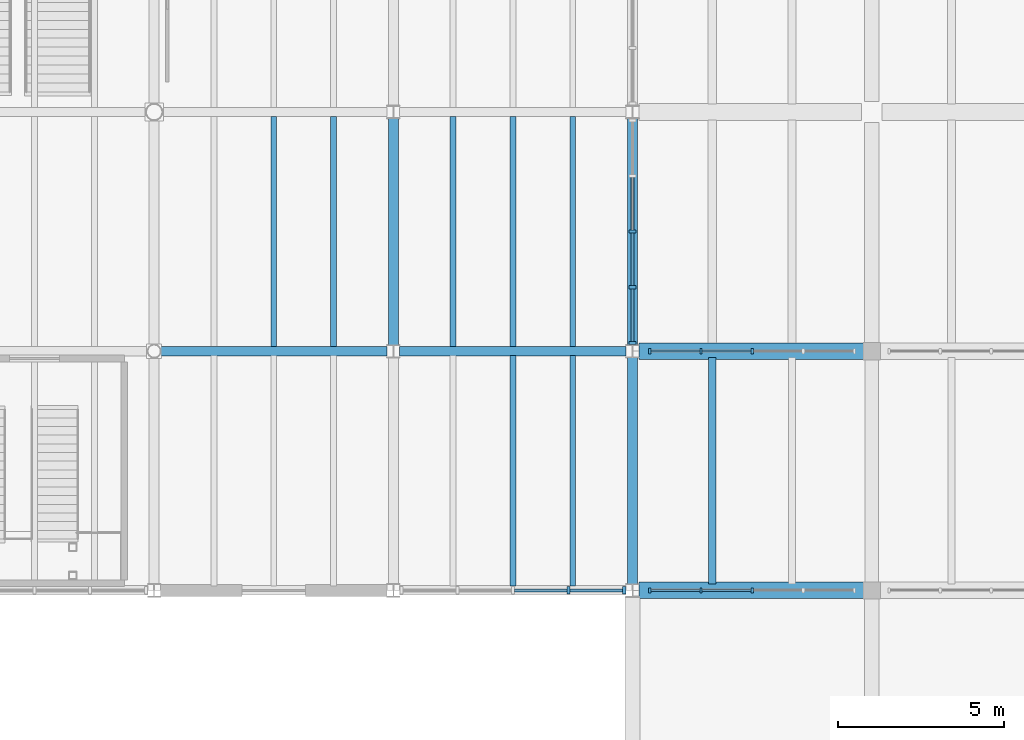
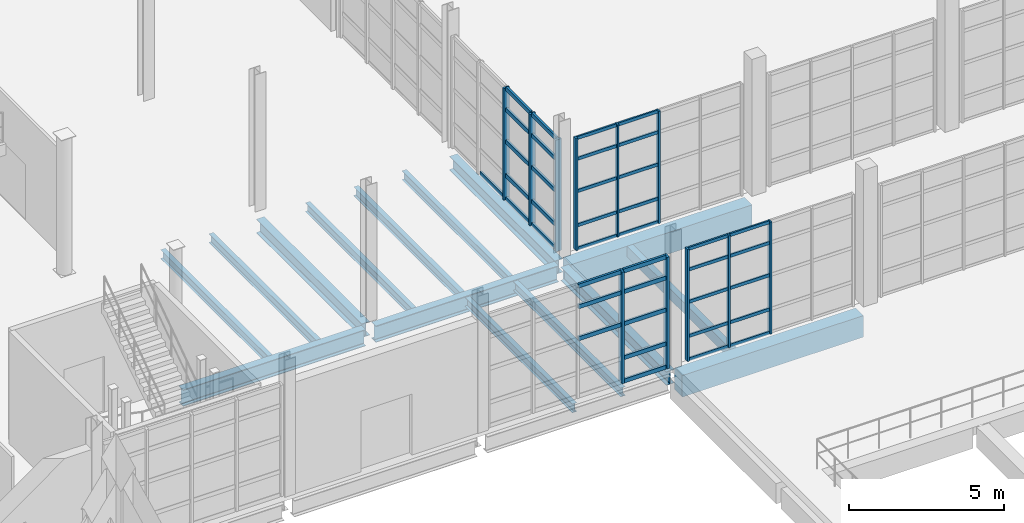
# One storey, part 27 of 79: 50 members, 15 beams, 4 elements without a shape of their own.
"""IFC4 building model written with IfcOpenShell, lengths in metres."""

from ifc_helpers import new_model, si_unit, direction, frame, origin, origin_2d, place, context, subcontext, project, spatial, rectangle, i_section, extrude, material, material_profile, profile_set, type_object, element, aggregate, save


model = new_model("IFC4")

# Units and contexts
model_context = context("Model", 3, precision=1e-05, world=origin(), true_north=direction((0.0, 1.0)))
body_context = subcontext(model_context, "Body", "Model", "MODEL_VIEW")
ifc_project = project(units=[si_unit("LENGTHUNIT", "METRE"), si_unit("AREAUNIT", "SQUARE_METRE"), si_unit("VOLUMEUNIT", "CUBIC_METRE"), si_unit("PLANEANGLEUNIT", "RADIAN"), si_unit("MASSUNIT", "GRAM", prefix="KILO")], contexts=[model_context])

# Site, building, storey
site_placement = place(None, origin())
site = spatial("IfcSite", under=ifc_project, at=site_placement, CompositionType="ELEMENT")
building_placement = place(site_placement, origin())
building = spatial("IfcBuilding", under=site, at=building_placement, Name="Qiaolan Assembly House", CompositionType="ELEMENT")
storey_placement = place(building_placement, origin())
storey = spatial("IfcBuildingStorey", under=building, at=storey_placement, Name="L00", CompositionType="ELEMENT", Elevation=0.0)

# Beams
ifc_material_1 = material(Name="Concrete C45/55", Category="concrete")
ifc_material_profile_1 = material_profile(ifc_material_1, rectangle(XDim=0.5, YDim=0.85009765625, at=origin_2d()), Name="RCB 500x850")
ifc_profile_set_1 = profile_set([ifc_material_profile_1], Name="Concrete C45/55")
beam_type_1 = type_object("IfcBeamType", Name="BM-RC-500x850", PredefinedType="BEAM", material=ifc_profile_set_1)
for number, where, z_axis, x_axis, name in (
    (1, (108.18994140625, 43.199951171875, -0.764892578125), (1.0, 0.0, 0.0), (0.0, 1.0, 0.0), "GB-02 beam BMX-CLCRT-L00-00-00"),
    (2, (108.18994140625, 36.0, -0.764892578125), (1.0, 0.0, 0.0), (0.0, 1.0, 0.0), "GB-02 beam BMX-APR0-L00-00-02"),
):
    element("IfcBeam", number, at=place(storey_placement, frame(where, z_axis=z_axis, x_axis=x_axis)), inside=storey, type_object=beam_type_1, Name=name, PredefinedType="BEAM", context=body_context, shape_type="SweptSolid", body=[
        extrude(rectangle(XDim=0.5, YDim=0.85009765625, at=origin_2d()), origin(), (0.0, 0.0, 1.0), 6.760009765625),
    ])
ifc_material_2 = material(Name="Steel Q355B", Category="steel")
ifc_material_profile_2 = material_profile(ifc_material_2, i_section(OverallWidth=0.300048828125, OverallDepth=0.5400390625, WebThickness=0.010986328125, FlangeThickness=0.01806640625, FilletRadius=0.02001953125, at=origin_2d()), Name="HM 540x300x11x18")
ifc_profile_set_2 = profile_set([ifc_material_profile_2], Name="Steel Q355B")
beam_type_2 = type_object("IfcBeamType", Name="BM-STL-HM540", PredefinedType="BEAM", material=ifc_profile_set_2)
for number, where, z_axis, x_axis, name in (
    (3, (100.800048828125, 43.389892578125, -0.570068359375), (0.0, 1.0, 0.0), (-1.0, 0.0, 0.0), "SB-12 beam BMY-HL-L00-11-01"),
    (4, (108.0, 36.18994140625, -0.610107421875), (0.0, 1.0, 0.0), (-1.0, 0.0, 0.0), "SB-12 beam BMY-HL-L00-12-00"),
    (5, (108.0, 43.389892578125, -0.610107421875), (0.0, 1.0, 0.0), (-1.0, 0.0, 0.0), "SB-12 beam BMY-HL-L00-12-01"),
):
    element("IfcBeam", number, at=place(storey_placement, frame(where, z_axis=z_axis, x_axis=x_axis)), inside=storey, type_object=beam_type_2, Name=name, PredefinedType="BEAM", context=body_context, shape_type="SweptSolid", body=[
        extrude(i_section(OverallWidth=0.300048828125, OverallDepth=0.5400390625, WebThickness=0.010986328125, FlangeThickness=0.01806640625, FilletRadius=0.02001953125, at=origin_2d()), origin(), (0.0, 0.0, 1.0), 6.820068359375),
    ])
ifc_material_profile_3 = material_profile(ifc_material_2, i_section(OverallWidth=0.280029296875, OverallDepth=0.64990234375, WebThickness=0.011962890625, FlangeThickness=0.02197265625, FilletRadius=0.02197265625, at=origin_2d()), Name="HN 650x280x12x22")
ifc_profile_set_3 = profile_set([ifc_material_profile_3], Name="Steel Q355B")
beam_type_3 = type_object("IfcBeamType", Name="BM-STL-HN650", PredefinedType="BEAM", material=ifc_profile_set_3)
beam_1_placement = place(storey_placement, frame((93.793212890625, 43.199951171875, -0.625), z_axis=(1.0, 0.0, 0.0), x_axis=(0.0, 1.0, 0.0)))
element("IfcBeam", 6, at=beam_1_placement, inside=storey, type_object=beam_type_3, Name="SB-10 beam BMX-HL-L00-10-01", PredefinedType="BEAM", context=body_context, shape_type="SweptSolid", body=[
    extrude(i_section(OverallWidth=0.280029296875, OverallDepth=0.64990234375, WebThickness=0.011962890625, FlangeThickness=0.02197265625, FilletRadius=0.02197265625, at=origin_2d()), origin(), (0.0, 0.0, 1.0), 6.81689453125),
])
beam_2_placement = place(storey_placement, frame((100.989990234375, 43.199951171875, -0.625), z_axis=(1.0, 0.0, 0.0), x_axis=(0.0, 1.0, 0.0)))
element("IfcBeam", 7, at=beam_2_placement, inside=storey, type_object=beam_type_3, Name="SB-10 beam BMX-HL-L00-11-01", PredefinedType="BEAM", context=body_context, shape_type="SweptSolid", body=[
    extrude(i_section(OverallWidth=0.280029296875, OverallDepth=0.64990234375, WebThickness=0.011962890625, FlangeThickness=0.02197265625, FilletRadius=0.02197265625, at=origin_2d()), origin(), (0.0, 0.0, 1.0), 6.820068359375),
])

# Curtain wall, members
ifc_material_3 = material(Name="Anodised bronze aluminium", Category="aluminium")
curtain_wall_type_1 = type_object("IfcCurtainWallType", Name="CW-CLOISTER-420", PredefinedType="NOTDEFINED", material=ifc_material_3)
curtain_wall_1_placement = place(storey_placement, origin())
curtain_wall_1 = element("IfcCurtainWall", 8, at=curtain_wall_1_placement, inside=storey, type_object=curtain_wall_type_1, Name="CW-05 South Cloister outer arcade L00-1", PredefinedType="NOTDEFINED")
ifc_material_profile_4 = material_profile(ifc_material_3, rectangle(XDim=0.070068359375, YDim=0.155029296875, at=origin_2d()), Name="MUL 70x155")
ifc_profile_set_4 = profile_set([ifc_material_profile_4], Name="Anodised bronze aluminium")
member_type_1 = type_object("IfcMemberType", Name="CW-CLOISTER-420-MUL", PredefinedType="MULLION", material=ifc_profile_set_4)
member_1_placement = place(storey_placement, frame((108.52001953125, 36.0, 0.0), z_axis=(0.0, 0.0, 1.0), x_axis=(1.0, 0.0, 0.0)))
member_1 = element("IfcMember", 9, at=member_1_placement, type_object=member_type_1, Name="ML-06 mullion CW-CLS-OUT-L00-0-1", PredefinedType="MULLION", context=body_context, shape_type="SweptSolid", body=[
    extrude(rectangle(XDim=0.070068359375, YDim=0.155029296875, at=origin_2d()), origin(), (0.0, 0.0, 1.0), 4.419921875),
])
member_2_placement = place(storey_placement, frame((110.06005859375, 36.0, 0.0), z_axis=(0.0, 0.0, 1.0), x_axis=(1.0, 0.0, 0.0)))
member_2 = element("IfcMember", 10, at=member_2_placement, type_object=member_type_1, Name="ML-06 mullion CW-CLS-OUT-L00-0-2", PredefinedType="MULLION", context=body_context, shape_type="SweptSolid", body=[
    extrude(rectangle(XDim=0.070068359375, YDim=0.155029296875, at=origin_2d()), origin(), (0.0, 0.0, 1.0), 4.419921875),
])
member_3_placement = place(storey_placement, frame((111.60009765625, 36.0, 0.0), z_axis=(0.0, 0.0, 1.0), x_axis=(1.0, 0.0, 0.0)))
member_3 = element("IfcMember", 11, at=member_3_placement, type_object=member_type_1, Name="ML-06 mullion CW-CLS-OUT-L00-0-3", PredefinedType="MULLION", context=body_context, shape_type="SweptSolid", body=[
    extrude(rectangle(XDim=0.070068359375, YDim=0.155029296875, at=origin_2d()), origin(), (0.0, 0.0, 1.0), 4.419921875),
])

curtain_wall_2_placement = place(storey_placement, origin())
curtain_wall_2 = element("IfcCurtainWall", 12, at=curtain_wall_2_placement, inside=storey, type_object=curtain_wall_type_1, Name="CW-05 South Cloister court arcade L00-1", PredefinedType="NOTDEFINED")
member_4_placement = place(storey_placement, frame((111.60009765625, 43.199951171875, 0.0), z_axis=(0.0, 0.0, 1.0), x_axis=(-1.0, 0.0, 0.0)))
member_4 = element("IfcMember", 13, at=member_4_placement, type_object=member_type_1, Name="ML-06 mullion CW-CLS-CRT-L00-0-3", PredefinedType="MULLION", context=body_context, shape_type="SweptSolid", body=[
    extrude(rectangle(XDim=0.070068359375, YDim=0.155029296875, at=origin_2d()), origin(), (0.0, 0.0, 1.0), 4.419921875),
])
member_5_placement = place(storey_placement, frame((110.06005859375, 43.199951171875, 0.0), z_axis=(0.0, 0.0, 1.0), x_axis=(-1.0, 0.0, 0.0)))
member_5 = element("IfcMember", 14, at=member_5_placement, type_object=member_type_1, Name="ML-06 mullion CW-CLS-CRT-L00-0-4", PredefinedType="MULLION", context=body_context, shape_type="SweptSolid", body=[
    extrude(rectangle(XDim=0.070068359375, YDim=0.155029296875, at=origin_2d()), origin(), (0.0, 0.0, 1.0), 4.419921875),
])
member_6_placement = place(storey_placement, frame((108.52001953125, 43.199951171875, 0.0), z_axis=(0.0, 0.0, 1.0), x_axis=(-1.0, 0.0, 0.0)))
member_6 = element("IfcMember", 15, at=member_6_placement, type_object=member_type_1, Name="ML-06 mullion CW-CLS-CRT-L00-0-5", PredefinedType="MULLION", context=body_context, shape_type="SweptSolid", body=[
    extrude(rectangle(XDim=0.070068359375, YDim=0.155029296875, at=origin_2d()), origin(), (0.0, 0.0, 1.0), 4.419921875),
])

# Member
ifc_material_profile_5 = material_profile(ifc_material_3, rectangle(XDim=0.06201171875, YDim=0.125, at=origin_2d()), Name="TRN 62x125")
ifc_profile_set_5 = profile_set([ifc_material_profile_5], Name="Anodised bronze aluminium")
member_type_2 = type_object("IfcMemberType", Name="CW-CLOISTER-420-TRN", PredefinedType="USERDEFINED", material=ifc_profile_set_5)
member_7_placement = place(storey_placement, frame((108.554931640625, 36.0, 0.030029296875), z_axis=(1.0, 0.0, 0.0), x_axis=(0.0, 1.0, 0.0)))
member_7 = element("IfcMember", 16, at=member_7_placement, type_object=member_type_2, Name="TR-06 transom CW-CLS-OUT-L00-0-1-1", ObjectType="TRANSOM", PredefinedType="USERDEFINED", context=body_context, shape_type="SweptSolid", body=[
    extrude(rectangle(XDim=0.06201171875, YDim=0.125, at=origin_2d()), origin(), (0.0, 0.0, 1.0), 1.469970703125),
])

member_8_placement = place(storey_placement, frame((108.554931640625, 36.0, 0.949951171875), z_axis=(1.0, 0.0, 0.0), x_axis=(0.0, 1.0, 0.0)))
member_8 = element("IfcMember", 17, at=member_8_placement, type_object=member_type_2, Name="TR-06 transom CW-CLS-OUT-L00-0-1-2", ObjectType="TRANSOM", PredefinedType="USERDEFINED", context=body_context, shape_type="SweptSolid", body=[
    extrude(rectangle(XDim=0.06201171875, YDim=0.125, at=origin_2d()), origin(), (0.0, 0.0, 1.0), 1.469970703125),
])

member_9_placement = place(storey_placement, frame((108.554931640625, 36.0, 2.29833984375), z_axis=(1.0, 0.0, 0.0), x_axis=(0.0, 1.0, 0.0)))
member_9 = element("IfcMember", 18, at=member_9_placement, type_object=member_type_2, Name="TR-06 transom CW-CLS-OUT-L00-0-1-3", ObjectType="TRANSOM", PredefinedType="USERDEFINED", context=body_context, shape_type="SweptSolid", body=[
    extrude(rectangle(XDim=0.06201171875, YDim=0.125, at=origin_2d()), origin(), (0.0, 0.0, 1.0), 1.469970703125),
])

member_10_placement = place(storey_placement, frame((108.554931640625, 36.0, 3.570068359375), z_axis=(1.0, 0.0, 0.0), x_axis=(0.0, 1.0, 0.0)))
member_10 = element("IfcMember", 19, at=member_10_placement, type_object=member_type_2, Name="TR-06 transom CW-CLS-OUT-L00-0-1-4", ObjectType="TRANSOM", PredefinedType="USERDEFINED", context=body_context, shape_type="SweptSolid", body=[
    extrude(rectangle(XDim=0.06201171875, YDim=0.125, at=origin_2d()), origin(), (0.0, 0.0, 1.0), 1.469970703125),
])

member_11_placement = place(storey_placement, frame((108.554931640625, 36.0, 4.389892578125), z_axis=(1.0, 0.0, 0.0), x_axis=(0.0, 1.0, 0.0)))
member_11 = element("IfcMember", 20, at=member_11_placement, type_object=member_type_2, Name="TR-06 transom CW-CLS-OUT-L00-0-1-5", ObjectType="TRANSOM", PredefinedType="USERDEFINED", context=body_context, shape_type="SweptSolid", body=[
    extrude(rectangle(XDim=0.06201171875, YDim=0.125, at=origin_2d()), origin(), (0.0, 0.0, 1.0), 1.469970703125),
])

member_12_placement = place(storey_placement, frame((110.094970703125, 36.0, 0.030029296875), z_axis=(1.0, 0.0, 0.0), x_axis=(0.0, 1.0, 0.0)))
member_12 = element("IfcMember", 21, at=member_12_placement, type_object=member_type_2, Name="TR-06 transom CW-CLS-OUT-L00-0-2-1", ObjectType="TRANSOM", PredefinedType="USERDEFINED", context=body_context, shape_type="SweptSolid", body=[
    extrude(rectangle(XDim=0.06201171875, YDim=0.125, at=origin_2d()), origin(), (0.0, 0.0, 1.0), 1.469970703125),
])

member_13_placement = place(storey_placement, frame((110.094970703125, 36.0, 0.949951171875), z_axis=(1.0, 0.0, 0.0), x_axis=(0.0, 1.0, 0.0)))
member_13 = element("IfcMember", 22, at=member_13_placement, type_object=member_type_2, Name="TR-06 transom CW-CLS-OUT-L00-0-2-2", ObjectType="TRANSOM", PredefinedType="USERDEFINED", context=body_context, shape_type="SweptSolid", body=[
    extrude(rectangle(XDim=0.06201171875, YDim=0.125, at=origin_2d()), origin(), (0.0, 0.0, 1.0), 1.469970703125),
])

member_14_placement = place(storey_placement, frame((110.094970703125, 36.0, 2.29833984375), z_axis=(1.0, 0.0, 0.0), x_axis=(0.0, 1.0, 0.0)))
member_14 = element("IfcMember", 23, at=member_14_placement, type_object=member_type_2, Name="TR-06 transom CW-CLS-OUT-L00-0-2-3", ObjectType="TRANSOM", PredefinedType="USERDEFINED", context=body_context, shape_type="SweptSolid", body=[
    extrude(rectangle(XDim=0.06201171875, YDim=0.125, at=origin_2d()), origin(), (0.0, 0.0, 1.0), 1.469970703125),
])

member_15_placement = place(storey_placement, frame((110.094970703125, 36.0, 3.570068359375), z_axis=(1.0, 0.0, 0.0), x_axis=(0.0, 1.0, 0.0)))
member_15 = element("IfcMember", 24, at=member_15_placement, type_object=member_type_2, Name="TR-06 transom CW-CLS-OUT-L00-0-2-4", ObjectType="TRANSOM", PredefinedType="USERDEFINED", context=body_context, shape_type="SweptSolid", body=[
    extrude(rectangle(XDim=0.06201171875, YDim=0.125, at=origin_2d()), origin(), (0.0, 0.0, 1.0), 1.469970703125),
])

member_16_placement = place(storey_placement, frame((110.094970703125, 36.0, 4.389892578125), z_axis=(1.0, 0.0, 0.0), x_axis=(0.0, 1.0, 0.0)))
member_16 = element("IfcMember", 25, at=member_16_placement, type_object=member_type_2, Name="TR-06 transom CW-CLS-OUT-L00-0-2-5", ObjectType="TRANSOM", PredefinedType="USERDEFINED", context=body_context, shape_type="SweptSolid", body=[
    extrude(rectangle(XDim=0.06201171875, YDim=0.125, at=origin_2d()), origin(), (0.0, 0.0, 1.0), 1.469970703125),
])

aggregate(curtain_wall_1, [member_1, member_2, member_3, member_7, member_8, member_9, member_10, member_11, member_12, member_13, member_14, member_15, member_16])

member_17_placement = place(storey_placement, frame((111.56494140625, 43.199951171875, 0.030029296875), z_axis=(-1.0, 0.0, 0.0), x_axis=(0.0, -1.0, 0.0)))
member_17 = element("IfcMember", 26, at=member_17_placement, type_object=member_type_2, Name="TR-06 transom CW-CLS-CRT-L00-0-3-1", ObjectType="TRANSOM", PredefinedType="USERDEFINED", context=body_context, shape_type="SweptSolid", body=[
    extrude(rectangle(XDim=0.06201171875, YDim=0.125, at=origin_2d()), origin(), (0.0, 0.0, 1.0), 1.469970703125),
])

member_18_placement = place(storey_placement, frame((111.56494140625, 43.199951171875, 0.949951171875), z_axis=(-1.0, 0.0, 0.0), x_axis=(0.0, -1.0, 0.0)))
member_18 = element("IfcMember", 27, at=member_18_placement, type_object=member_type_2, Name="TR-06 transom CW-CLS-CRT-L00-0-3-2", ObjectType="TRANSOM", PredefinedType="USERDEFINED", context=body_context, shape_type="SweptSolid", body=[
    extrude(rectangle(XDim=0.06201171875, YDim=0.125, at=origin_2d()), origin(), (0.0, 0.0, 1.0), 1.469970703125),
])

member_19_placement = place(storey_placement, frame((111.56494140625, 43.199951171875, 2.29833984375), z_axis=(-1.0, 0.0, 0.0), x_axis=(0.0, -1.0, 0.0)))
member_19 = element("IfcMember", 28, at=member_19_placement, type_object=member_type_2, Name="TR-06 transom CW-CLS-CRT-L00-0-3-3", ObjectType="TRANSOM", PredefinedType="USERDEFINED", context=body_context, shape_type="SweptSolid", body=[
    extrude(rectangle(XDim=0.06201171875, YDim=0.125, at=origin_2d()), origin(), (0.0, 0.0, 1.0), 1.469970703125),
])

member_20_placement = place(storey_placement, frame((111.56494140625, 43.199951171875, 3.570068359375), z_axis=(-1.0, 0.0, 0.0), x_axis=(0.0, -1.0, 0.0)))
member_20 = element("IfcMember", 29, at=member_20_placement, type_object=member_type_2, Name="TR-06 transom CW-CLS-CRT-L00-0-3-4", ObjectType="TRANSOM", PredefinedType="USERDEFINED", context=body_context, shape_type="SweptSolid", body=[
    extrude(rectangle(XDim=0.06201171875, YDim=0.125, at=origin_2d()), origin(), (0.0, 0.0, 1.0), 1.469970703125),
])

member_21_placement = place(storey_placement, frame((111.56494140625, 43.199951171875, 4.389892578125), z_axis=(-1.0, 0.0, 0.0), x_axis=(0.0, -1.0, 0.0)))
member_21 = element("IfcMember", 30, at=member_21_placement, type_object=member_type_2, Name="TR-06 transom CW-CLS-CRT-L00-0-3-5", ObjectType="TRANSOM", PredefinedType="USERDEFINED", context=body_context, shape_type="SweptSolid", body=[
    extrude(rectangle(XDim=0.06201171875, YDim=0.125, at=origin_2d()), origin(), (0.0, 0.0, 1.0), 1.469970703125),
])

member_22_placement = place(storey_placement, frame((110.02490234375, 43.199951171875, 0.030029296875), z_axis=(-1.0, 0.0, 0.0), x_axis=(0.0, -1.0, 0.0)))
member_22 = element("IfcMember", 31, at=member_22_placement, type_object=member_type_2, Name="TR-06 transom CW-CLS-CRT-L00-0-4-1", ObjectType="TRANSOM", PredefinedType="USERDEFINED", context=body_context, shape_type="SweptSolid", body=[
    extrude(rectangle(XDim=0.06201171875, YDim=0.125, at=origin_2d()), origin(), (0.0, 0.0, 1.0), 1.469970703125),
])

member_23_placement = place(storey_placement, frame((110.02490234375, 43.199951171875, 0.949951171875), z_axis=(-1.0, 0.0, 0.0), x_axis=(0.0, -1.0, 0.0)))
member_23 = element("IfcMember", 32, at=member_23_placement, type_object=member_type_2, Name="TR-06 transom CW-CLS-CRT-L00-0-4-2", ObjectType="TRANSOM", PredefinedType="USERDEFINED", context=body_context, shape_type="SweptSolid", body=[
    extrude(rectangle(XDim=0.06201171875, YDim=0.125, at=origin_2d()), origin(), (0.0, 0.0, 1.0), 1.469970703125),
])

member_24_placement = place(storey_placement, frame((110.02490234375, 43.199951171875, 2.29833984375), z_axis=(-1.0, 0.0, 0.0), x_axis=(0.0, -1.0, 0.0)))
member_24 = element("IfcMember", 33, at=member_24_placement, type_object=member_type_2, Name="TR-06 transom CW-CLS-CRT-L00-0-4-3", ObjectType="TRANSOM", PredefinedType="USERDEFINED", context=body_context, shape_type="SweptSolid", body=[
    extrude(rectangle(XDim=0.06201171875, YDim=0.125, at=origin_2d()), origin(), (0.0, 0.0, 1.0), 1.469970703125),
])

member_25_placement = place(storey_placement, frame((110.02490234375, 43.199951171875, 3.570068359375), z_axis=(-1.0, 0.0, 0.0), x_axis=(0.0, -1.0, 0.0)))
member_25 = element("IfcMember", 34, at=member_25_placement, type_object=member_type_2, Name="TR-06 transom CW-CLS-CRT-L00-0-4-4", ObjectType="TRANSOM", PredefinedType="USERDEFINED", context=body_context, shape_type="SweptSolid", body=[
    extrude(rectangle(XDim=0.06201171875, YDim=0.125, at=origin_2d()), origin(), (0.0, 0.0, 1.0), 1.469970703125),
])

member_26_placement = place(storey_placement, frame((110.02490234375, 43.199951171875, 4.389892578125), z_axis=(-1.0, 0.0, 0.0), x_axis=(0.0, -1.0, 0.0)))
member_26 = element("IfcMember", 35, at=member_26_placement, type_object=member_type_2, Name="TR-06 transom CW-CLS-CRT-L00-0-4-5", ObjectType="TRANSOM", PredefinedType="USERDEFINED", context=body_context, shape_type="SweptSolid", body=[
    extrude(rectangle(XDim=0.06201171875, YDim=0.125, at=origin_2d()), origin(), (0.0, 0.0, 1.0), 1.469970703125),
])

aggregate(curtain_wall_2, [member_4, member_5, member_6, member_17, member_18, member_19, member_20, member_21, member_22, member_23, member_24, member_25, member_26])

# Curtain wall, members
curtain_wall_type_2 = type_object("IfcCurtainWallType", Name="CW-HALL-MAIN-540", PredefinedType="NOTDEFINED", material=ifc_material_3)
curtain_wall_3_placement = place(storey_placement, origin())
curtain_wall_3 = element("IfcCurtainWall", 36, at=curtain_wall_3_placement, inside=storey, type_object=curtain_wall_type_2, Name="CW-01 Hall South plaza curtain wall L00-11", PredefinedType="NOTDEFINED")
ifc_material_profile_6 = material_profile(ifc_material_3, rectangle(XDim=0.092041015625, YDim=0.219970703125, at=origin_2d()), Name="MUL 92x220")
ifc_profile_set_6 = profile_set([ifc_material_profile_6], Name="Anodised bronze aluminium")
member_type_3 = type_object("IfcMemberType", Name="CW-HALL-MAIN-540-MUL", PredefinedType="MULLION", material=ifc_profile_set_6)
member_27_placement = place(storey_placement, frame((106.074951171875, 36.0, 0.0), z_axis=(0.0, 0.0, 1.0), x_axis=(1.0, 0.0, 0.0)))
member_27 = element("IfcMember", 37, at=member_27_placement, type_object=member_type_3, Name="ML-01 mullion CW-HALL-S-L00-10-4", PredefinedType="MULLION", context=body_context, shape_type="SweptSolid", body=[
    extrude(rectangle(XDim=0.092041015625, YDim=0.219970703125, at=origin_2d()), origin(), (0.0, 0.0, 1.0), 4.39990234375),
])
member_28_placement = place(storey_placement, frame((107.75, 36.0, 0.0), z_axis=(0.0, 0.0, 1.0), x_axis=(1.0, 0.0, 0.0)))
member_28 = element("IfcMember", 38, at=member_28_placement, type_object=member_type_3, Name="ML-01 mullion CW-HALL-S-L00-10-5", PredefinedType="MULLION", context=body_context, shape_type="SweptSolid", body=[
    extrude(rectangle(XDim=0.092041015625, YDim=0.219970703125, at=origin_2d()), origin(), (0.0, 0.0, 1.0), 4.39990234375),
])

curtain_wall_4_placement = place(storey_placement, origin())
curtain_wall_4 = element("IfcCurtainWall", 39, at=curtain_wall_4_placement, inside=storey, type_object=curtain_wall_type_2, Name="CW-01 Hall East court curtain wall L00-1", PredefinedType="NOTDEFINED")
member_29_placement = place(storey_placement, frame((108.0, 46.800048828125, 0.0), z_axis=(0.0, 0.0, 1.0), x_axis=(0.0, -1.0, 0.0)))
member_29 = element("IfcMember", 40, at=member_29_placement, type_object=member_type_3, Name="ML-01 mullion CW-HALL-E-L00-00-3", PredefinedType="MULLION", context=body_context, shape_type="SweptSolid", body=[
    extrude(rectangle(XDim=0.092041015625, YDim=0.219970703125, at=origin_2d()), origin(), (0.0, 0.0, 1.0), 4.39990234375),
])
member_30_placement = place(storey_placement, frame((108.0, 45.125, 0.0), z_axis=(0.0, 0.0, 1.0), x_axis=(0.0, -1.0, 0.0)))
member_30 = element("IfcMember", 41, at=member_30_placement, type_object=member_type_3, Name="ML-01 mullion CW-HALL-E-L00-00-4", PredefinedType="MULLION", context=body_context, shape_type="SweptSolid", body=[
    extrude(rectangle(XDim=0.092041015625, YDim=0.219970703125, at=origin_2d()), origin(), (0.0, 0.0, 1.0), 4.39990234375),
])
member_31_placement = place(storey_placement, frame((108.0, 43.449951171875, 0.0), z_axis=(0.0, 0.0, 1.0), x_axis=(0.0, -1.0, 0.0)))
member_31 = element("IfcMember", 42, at=member_31_placement, type_object=member_type_3, Name="ML-01 mullion CW-HALL-E-L00-00-5", PredefinedType="MULLION", context=body_context, shape_type="SweptSolid", body=[
    extrude(rectangle(XDim=0.092041015625, YDim=0.219970703125, at=origin_2d()), origin(), (0.0, 0.0, 1.0), 4.39990234375),
])

# Member
ifc_material_profile_7 = material_profile(ifc_material_3, rectangle(XDim=0.08203125, YDim=0.159912109375, at=origin_2d()), Name="TRN 82x160")
ifc_profile_set_7 = profile_set([ifc_material_profile_7], Name="Anodised bronze aluminium")
member_type_4 = type_object("IfcMemberType", Name="CW-HALL-MAIN-540-TRN", PredefinedType="USERDEFINED", material=ifc_profile_set_7)
member_32_placement = place(storey_placement, frame((104.446044921875, 36.0, 2.2880859375), z_axis=(1.0, 0.0, 0.0), x_axis=(0.0, 1.0, 0.0)))
member_32 = element("IfcMember", 43, at=member_32_placement, type_object=member_type_4, Name="TR-01 transom CW-HALL-S-L00-10-3-3", ObjectType="TRANSOM", PredefinedType="USERDEFINED", context=body_context, shape_type="SweptSolid", body=[
    extrude(rectangle(XDim=0.08203125, YDim=0.159912109375, at=origin_2d()), origin(), (0.0, 0.0, 1.0), 1.5830078125),
])

member_33_placement = place(storey_placement, frame((104.446044921875, 36.0, 3.550048828125), z_axis=(1.0, 0.0, 0.0), x_axis=(0.0, 1.0, 0.0)))
member_33 = element("IfcMember", 44, at=member_33_placement, type_object=member_type_4, Name="TR-01 transom CW-HALL-S-L00-10-3-4", ObjectType="TRANSOM", PredefinedType="USERDEFINED", context=body_context, shape_type="SweptSolid", body=[
    extrude(rectangle(XDim=0.08203125, YDim=0.159912109375, at=origin_2d()), origin(), (0.0, 0.0, 1.0), 1.5830078125),
])

member_34_placement = place(storey_placement, frame((104.446044921875, 36.0, 4.3701171875), z_axis=(1.0, 0.0, 0.0), x_axis=(0.0, 1.0, 0.0)))
member_34 = element("IfcMember", 45, at=member_34_placement, type_object=member_type_4, Name="TR-01 transom CW-HALL-S-L00-10-3-5", ObjectType="TRANSOM", PredefinedType="USERDEFINED", context=body_context, shape_type="SweptSolid", body=[
    extrude(rectangle(XDim=0.08203125, YDim=0.159912109375, at=origin_2d()), origin(), (0.0, 0.0, 1.0), 1.5830078125),
])

member_35_placement = place(storey_placement, frame((106.12109375, 36.0, 0.030029296875), z_axis=(1.0, 0.0, 0.0), x_axis=(0.0, 1.0, 0.0)))
member_35 = element("IfcMember", 46, at=member_35_placement, type_object=member_type_4, Name="TR-01 transom CW-HALL-S-L00-10-4-1", ObjectType="TRANSOM", PredefinedType="USERDEFINED", context=body_context, shape_type="SweptSolid", body=[
    extrude(rectangle(XDim=0.08203125, YDim=0.159912109375, at=origin_2d()), origin(), (0.0, 0.0, 1.0), 1.5830078125),
])

member_36_placement = place(storey_placement, frame((106.12109375, 36.0, 0.949951171875), z_axis=(1.0, 0.0, 0.0), x_axis=(0.0, 1.0, 0.0)))
member_36 = element("IfcMember", 47, at=member_36_placement, type_object=member_type_4, Name="TR-01 transom CW-HALL-S-L00-10-4-2", ObjectType="TRANSOM", PredefinedType="USERDEFINED", context=body_context, shape_type="SweptSolid", body=[
    extrude(rectangle(XDim=0.08203125, YDim=0.159912109375, at=origin_2d()), origin(), (0.0, 0.0, 1.0), 1.5830078125),
])

member_37_placement = place(storey_placement, frame((106.12109375, 36.0, 2.2880859375), z_axis=(1.0, 0.0, 0.0), x_axis=(0.0, 1.0, 0.0)))
member_37 = element("IfcMember", 48, at=member_37_placement, type_object=member_type_4, Name="TR-01 transom CW-HALL-S-L00-10-4-3", ObjectType="TRANSOM", PredefinedType="USERDEFINED", context=body_context, shape_type="SweptSolid", body=[
    extrude(rectangle(XDim=0.08203125, YDim=0.159912109375, at=origin_2d()), origin(), (0.0, 0.0, 1.0), 1.5830078125),
])

member_38_placement = place(storey_placement, frame((106.12109375, 36.0, 3.550048828125), z_axis=(1.0, 0.0, 0.0), x_axis=(0.0, 1.0, 0.0)))
member_38 = element("IfcMember", 49, at=member_38_placement, type_object=member_type_4, Name="TR-01 transom CW-HALL-S-L00-10-4-4", ObjectType="TRANSOM", PredefinedType="USERDEFINED", context=body_context, shape_type="SweptSolid", body=[
    extrude(rectangle(XDim=0.08203125, YDim=0.159912109375, at=origin_2d()), origin(), (0.0, 0.0, 1.0), 1.5830078125),
])

member_39_placement = place(storey_placement, frame((106.12109375, 36.0, 4.3701171875), z_axis=(1.0, 0.0, 0.0), x_axis=(0.0, 1.0, 0.0)))
member_39 = element("IfcMember", 50, at=member_39_placement, type_object=member_type_4, Name="TR-01 transom CW-HALL-S-L00-10-4-5", ObjectType="TRANSOM", PredefinedType="USERDEFINED", context=body_context, shape_type="SweptSolid", body=[
    extrude(rectangle(XDim=0.08203125, YDim=0.159912109375, at=origin_2d()), origin(), (0.0, 0.0, 1.0), 1.5830078125),
])

aggregate(curtain_wall_3, [member_27, member_28, member_32, member_33, member_34, member_35, member_36, member_37, member_38, member_39])

member_40_placement = place(storey_placement, frame((108.0, 48.428955078125, 0.030029296875), z_axis=(0.0, -1.0, 0.0), x_axis=(1.0, 0.0, 0.0)))
member_40 = element("IfcMember", 51, at=member_40_placement, type_object=member_type_4, Name="TR-01 transom CW-HALL-E-L00-00-2-1", ObjectType="TRANSOM", PredefinedType="USERDEFINED", context=body_context, shape_type="SweptSolid", body=[
    extrude(rectangle(XDim=0.08203125, YDim=0.159912109375, at=origin_2d()), origin(), (0.0, 0.0, 1.0), 1.5830078125),
])

member_41_placement = place(storey_placement, frame((108.0, 46.75390625, 0.030029296875), z_axis=(0.0, -1.0, 0.0), x_axis=(1.0, 0.0, 0.0)))
member_41 = element("IfcMember", 52, at=member_41_placement, type_object=member_type_4, Name="TR-01 transom CW-HALL-E-L00-00-3-1", ObjectType="TRANSOM", PredefinedType="USERDEFINED", context=body_context, shape_type="SweptSolid", body=[
    extrude(rectangle(XDim=0.08203125, YDim=0.159912109375, at=origin_2d()), origin(), (0.0, 0.0, 1.0), 1.5830078125),
])

member_42_placement = place(storey_placement, frame((108.0, 46.75390625, 0.949951171875), z_axis=(0.0, -1.0, 0.0), x_axis=(1.0, 0.0, 0.0)))
member_42 = element("IfcMember", 53, at=member_42_placement, type_object=member_type_4, Name="TR-01 transom CW-HALL-E-L00-00-3-2", ObjectType="TRANSOM", PredefinedType="USERDEFINED", context=body_context, shape_type="SweptSolid", body=[
    extrude(rectangle(XDim=0.08203125, YDim=0.159912109375, at=origin_2d()), origin(), (0.0, 0.0, 1.0), 1.5830078125),
])

member_43_placement = place(storey_placement, frame((108.0, 46.75390625, 2.2880859375), z_axis=(0.0, -1.0, 0.0), x_axis=(1.0, 0.0, 0.0)))
member_43 = element("IfcMember", 54, at=member_43_placement, type_object=member_type_4, Name="TR-01 transom CW-HALL-E-L00-00-3-3", ObjectType="TRANSOM", PredefinedType="USERDEFINED", context=body_context, shape_type="SweptSolid", body=[
    extrude(rectangle(XDim=0.08203125, YDim=0.159912109375, at=origin_2d()), origin(), (0.0, 0.0, 1.0), 1.5830078125),
])

member_44_placement = place(storey_placement, frame((108.0, 46.75390625, 3.550048828125), z_axis=(0.0, -1.0, 0.0), x_axis=(1.0, 0.0, 0.0)))
member_44 = element("IfcMember", 55, at=member_44_placement, type_object=member_type_4, Name="TR-01 transom CW-HALL-E-L00-00-3-4", ObjectType="TRANSOM", PredefinedType="USERDEFINED", context=body_context, shape_type="SweptSolid", body=[
    extrude(rectangle(XDim=0.08203125, YDim=0.159912109375, at=origin_2d()), origin(), (0.0, 0.0, 1.0), 1.5830078125),
])

member_45_placement = place(storey_placement, frame((108.0, 46.75390625, 4.3701171875), z_axis=(0.0, -1.0, 0.0), x_axis=(1.0, 0.0, 0.0)))
member_45 = element("IfcMember", 56, at=member_45_placement, type_object=member_type_4, Name="TR-01 transom CW-HALL-E-L00-00-3-5", ObjectType="TRANSOM", PredefinedType="USERDEFINED", context=body_context, shape_type="SweptSolid", body=[
    extrude(rectangle(XDim=0.08203125, YDim=0.159912109375, at=origin_2d()), origin(), (0.0, 0.0, 1.0), 1.5830078125),
])

member_46_placement = place(storey_placement, frame((108.0, 45.0791015625, 0.030029296875), z_axis=(0.0, -1.0, 0.0), x_axis=(1.0, 0.0, 0.0)))
member_46 = element("IfcMember", 57, at=member_46_placement, type_object=member_type_4, Name="TR-01 transom CW-HALL-E-L00-00-4-1", ObjectType="TRANSOM", PredefinedType="USERDEFINED", context=body_context, shape_type="SweptSolid", body=[
    extrude(rectangle(XDim=0.08203125, YDim=0.159912109375, at=origin_2d()), origin(), (0.0, 0.0, 1.0), 1.5830078125),
])

member_47_placement = place(storey_placement, frame((108.0, 45.0791015625, 0.949951171875), z_axis=(0.0, -1.0, 0.0), x_axis=(1.0, 0.0, 0.0)))
member_47 = element("IfcMember", 58, at=member_47_placement, type_object=member_type_4, Name="TR-01 transom CW-HALL-E-L00-00-4-2", ObjectType="TRANSOM", PredefinedType="USERDEFINED", context=body_context, shape_type="SweptSolid", body=[
    extrude(rectangle(XDim=0.08203125, YDim=0.159912109375, at=origin_2d()), origin(), (0.0, 0.0, 1.0), 1.5830078125),
])

member_48_placement = place(storey_placement, frame((108.0, 45.0791015625, 2.2880859375), z_axis=(0.0, -1.0, 0.0), x_axis=(1.0, 0.0, 0.0)))
member_48 = element("IfcMember", 59, at=member_48_placement, type_object=member_type_4, Name="TR-01 transom CW-HALL-E-L00-00-4-3", ObjectType="TRANSOM", PredefinedType="USERDEFINED", context=body_context, shape_type="SweptSolid", body=[
    extrude(rectangle(XDim=0.08203125, YDim=0.159912109375, at=origin_2d()), origin(), (0.0, 0.0, 1.0), 1.5830078125),
])

member_49_placement = place(storey_placement, frame((108.0, 45.0791015625, 3.550048828125), z_axis=(0.0, -1.0, 0.0), x_axis=(1.0, 0.0, 0.0)))
member_49 = element("IfcMember", 60, at=member_49_placement, type_object=member_type_4, Name="TR-01 transom CW-HALL-E-L00-00-4-4", ObjectType="TRANSOM", PredefinedType="USERDEFINED", context=body_context, shape_type="SweptSolid", body=[
    extrude(rectangle(XDim=0.08203125, YDim=0.159912109375, at=origin_2d()), origin(), (0.0, 0.0, 1.0), 1.5830078125),
])

member_50_placement = place(storey_placement, frame((108.0, 45.0791015625, 4.3701171875), z_axis=(0.0, -1.0, 0.0), x_axis=(1.0, 0.0, 0.0)))
member_50 = element("IfcMember", 61, at=member_50_placement, type_object=member_type_4, Name="TR-01 transom CW-HALL-E-L00-00-4-5", ObjectType="TRANSOM", PredefinedType="USERDEFINED", context=body_context, shape_type="SweptSolid", body=[
    extrude(rectangle(XDim=0.08203125, YDim=0.159912109375, at=origin_2d()), origin(), (0.0, 0.0, 1.0), 1.5830078125),
])

aggregate(curtain_wall_4, [member_29, member_30, member_31, member_40, member_41, member_42, member_43, member_44, member_45, member_46, member_47, member_48, member_49, member_50])

# Beams
ifc_material_4 = material(Name="Concrete C40/50", Category="concrete")
ifc_material_profile_8 = material_profile(ifc_material_4, rectangle(XDim=0.219970703125, YDim=0.419921875, at=origin_2d()), Name="RCB 220x420")
ifc_profile_set_8 = profile_set([ifc_material_profile_8], Name="Concrete C40/50")
beam_type_4 = type_object("IfcBeamType", Name="JST-RC-220x420", PredefinedType="JOIST", material=ifc_profile_set_8)
beam_3_placement = place(storey_placement, frame((110.39990234375, 36.194091796875, -0.550048828125), z_axis=(0.0, 1.0, 0.0), x_axis=(-1.0, 0.0, 0.0)))
element("IfcBeam", 62, at=beam_3_placement, inside=storey, type_object=beam_type_4, Name="RJ-03 beam JST-CLS-L00-00-00-1", PredefinedType="JOIST", context=body_context, shape_type="SweptSolid", body=[
    extrude(rectangle(XDim=0.219970703125, YDim=0.419921875, at=origin_2d()), origin(), (0.0, 0.0, 1.0), 6.81201171875),
])
ifc_material_profile_9 = material_profile(ifc_material_2, i_section(OverallWidth=0.175048828125, OverallDepth=0.35009765625, WebThickness=0.007080078125, FlangeThickness=0.010986328125, FilletRadius=0.013916015625, at=origin_2d()), Name="HN 350x175x7x11")
ifc_profile_set_9 = profile_set([ifc_material_profile_9], Name="Steel Q355B")
beam_type_5 = type_object("IfcBeamType", Name="JST-STL-HN350", PredefinedType="JOIST", material=ifc_profile_set_9)
for number, where, z_axis, x_axis, name in (
    (63, (97.199951171875, 43.333984375, -0.47509765625), (0.0, 1.0, 0.0), (-1.0, 0.0, 0.0), "SJ-01 beam JST-HL-L00-10-01-2"),
    (64, (99.0, 43.333984375, -0.47509765625), (0.0, 1.0, 0.0), (-1.0, 0.0, 0.0), "SJ-01 beam JST-HL-L00-10-01-3"),
):
    element("IfcBeam", number, at=place(storey_placement, frame(where, z_axis=z_axis, x_axis=x_axis)), inside=storey, type_object=beam_type_5, Name=name, PredefinedType="JOIST", context=body_context, shape_type="SweptSolid", body=[
        extrude(i_section(OverallWidth=0.175048828125, OverallDepth=0.35009765625, WebThickness=0.007080078125, FlangeThickness=0.010986328125, FilletRadius=0.013916015625, at=origin_2d()), origin(), (0.0, 0.0, 1.0), 6.93212890625),
    ])
for number, where, z_axis, x_axis, name in (
    (65, (104.39990234375, 36.134033203125, -0.514892578125), (0.0, 1.0, 0.0), (-1.0, 0.0, 0.0), "SJ-01 beam JST-HL-L00-11-00-2"),
    (66, (106.199951171875, 36.134033203125, -0.514892578125), (0.0, 1.0, 0.0), (-1.0, 0.0, 0.0), "SJ-01 beam JST-HL-L00-11-00-3"),
):
    element("IfcBeam", number, at=place(storey_placement, frame(where, z_axis=z_axis, x_axis=x_axis)), inside=storey, type_object=beam_type_5, Name=name, PredefinedType="JOIST", context=body_context, shape_type="SweptSolid", body=[
        extrude(i_section(OverallWidth=0.175048828125, OverallDepth=0.35009765625, WebThickness=0.007080078125, FlangeThickness=0.010986328125, FilletRadius=0.013916015625, at=origin_2d()), origin(), (0.0, 0.0, 1.0), 6.931884765625),
    ])
for number, where, z_axis, x_axis, name in (
    (67, (102.60009765625, 43.333984375, -0.514892578125), (0.0, 1.0, 0.0), (-1.0, 0.0, 0.0), "SJ-01 beam JST-HL-L00-11-01-1"),
    (68, (104.39990234375, 43.333984375, -0.514892578125), (0.0, 1.0, 0.0), (-1.0, 0.0, 0.0), "SJ-01 beam JST-HL-L00-11-01-2"),
    (69, (106.199951171875, 43.333984375, -0.514892578125), (0.0, 1.0, 0.0), (-1.0, 0.0, 0.0), "SJ-01 beam JST-HL-L00-11-01-3"),
):
    element("IfcBeam", number, at=place(storey_placement, frame(where, z_axis=z_axis, x_axis=x_axis)), inside=storey, type_object=beam_type_5, Name=name, PredefinedType="JOIST", context=body_context, shape_type="SweptSolid", body=[
        extrude(i_section(OverallWidth=0.175048828125, OverallDepth=0.35009765625, WebThickness=0.007080078125, FlangeThickness=0.010986328125, FilletRadius=0.013916015625, at=origin_2d()), origin(), (0.0, 0.0, 1.0), 6.93212890625),
    ])

save(model, "model.ifc")
